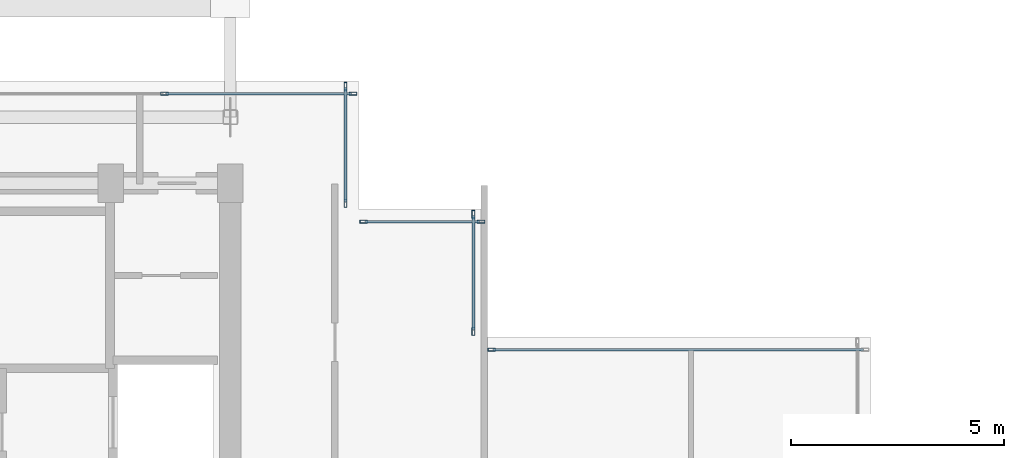
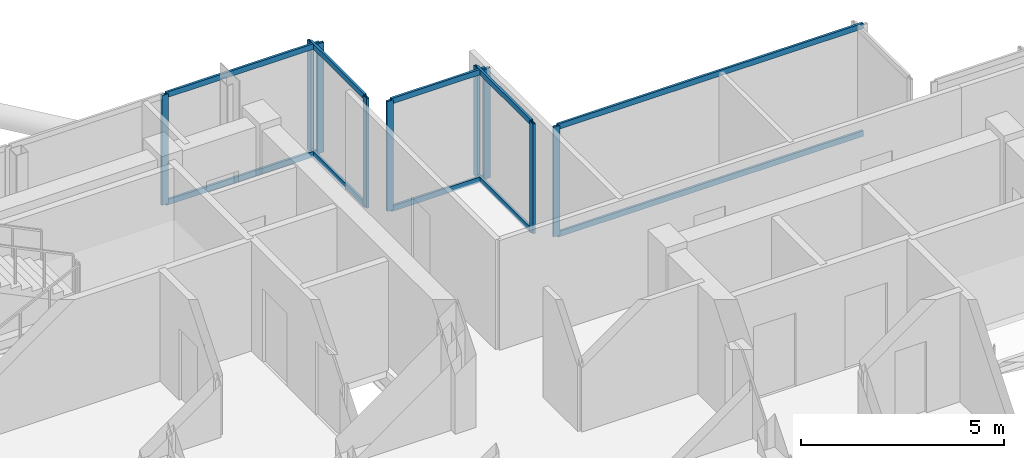
# One storey, part 10 of 18: 19 members, 5 elements without a shape of their own.
"""IFC4 building model written with IfcOpenShell, lengths in metres."""

from ifc_helpers import new_model, si_unit, direction, frame, origin, origin_2d, place, context, subcontext, project, spatial, hollow_rectangle, extrude, material, layer, layer_set, material_profile, profile_set, type_object, element, aggregate, save


model = new_model("IFC4")

# Units and contexts
model_context = context("Model", 3, precision=1e-05, world=origin(), true_north=direction((0.0, 1.0)))
body_context = subcontext(model_context, "Body", "Model", "MODEL_VIEW")
ifc_project = project(units=[si_unit("LENGTHUNIT", "METRE"), si_unit("AREAUNIT", "SQUARE_METRE"), si_unit("VOLUMEUNIT", "CUBIC_METRE"), si_unit("PLANEANGLEUNIT", "RADIAN"), si_unit("MASSUNIT", "GRAM", prefix="KILO"), si_unit("THERMODYNAMICTEMPERATUREUNIT", "KELVIN"), si_unit("POWERUNIT", "WATT")], contexts=[model_context])

# Site, building, storey
site_placement = place(None, origin())
site = spatial("IfcSite", under=ifc_project, at=site_placement, CompositionType="ELEMENT")
building_placement = place(site_placement, origin())
building = spatial("IfcBuilding", under=site, at=building_placement, Name="Svarakhadi Broadcast Tower", CompositionType="ELEMENT")
storey_placement = place(building_placement, frame((0.0, 0.0, 264.199951171875)))
storey = spatial("IfcBuildingStorey", under=building, at=storey_placement, Name="L66", CompositionType="ELEMENT", Elevation=264.199951171875)

# Curtain wall, members
ifc_material = material(Name="Anodised Bronze Aluminium AA 6063-T6", Category="aluminium")
ifc_layer = layer(ifc_material, 0.179931640625)
ifc_layer_set = layer_set([ifc_layer], Name="Anodised Bronze Aluminium AA 6063-T6")
curtain_wall_type = type_object("IfcCurtainWallType", Name="CW_Sys_05", PredefinedType="NOTDEFINED", material=ifc_layer_set)
curtain_wall_1_placement = place(storey_placement, origin())
curtain_wall_1 = element("IfcCurtainWall", 1, at=curtain_wall_1_placement, inside=storey, type_object=curtain_wall_type, Name="L66 Unitised Facade Curtain Wall 06", PredefinedType="NOTDEFINED")
ifc_material_profile_1 = material_profile(ifc_material, hollow_rectangle(XDim=0.070068359375, YDim=0.179931640625, WallThickness=0.005615234375, at=origin_2d()), Name="ALU MULLION 180x70x6")
ifc_profile_set_1 = profile_set([ifc_material_profile_1], Name="Anodised Bronze Aluminium AA 6063-T6")
member_type_1 = type_object("IfcMemberType", Name="CW_Sys_05_Mul", PredefinedType="MULLION", material=ifc_profile_set_1)
member_1_placement = place(storey_placement, frame((16.455078125, 29.699951171875, 0.0), z_axis=(0.0, 0.0, 1.0), x_axis=(0.0, 1.0, 0.0)))
member_1 = element("IfcMember", 2, at=member_1_placement, type_object=member_type_1, Name="CW-05 mullion 4", PredefinedType="MULLION", context=body_context, shape_type="SweptSolid", body=[
    extrude(hollow_rectangle(XDim=0.070068359375, YDim=0.179931640625, WallThickness=0.005615234375, at=origin_2d()), origin(), (0.0, 0.0, 1.0), 3.300048828125),
])
member_2_placement = place(storey_placement, frame((20.875, 29.699951171875, 0.0), z_axis=(0.0, 0.0, 1.0), x_axis=(0.0, 1.0, 0.0)))
member_2 = element("IfcMember", 3, at=member_2_placement, type_object=member_type_1, Name="CW-05 mullion 5", PredefinedType="MULLION", context=body_context, shape_type="SweptSolid", body=[
    extrude(hollow_rectangle(XDim=0.070068359375, YDim=0.179931640625, WallThickness=0.005615234375, at=origin_2d()), origin(), (0.0, 0.0, 1.0), 3.300048828125),
])

curtain_wall_2_placement = place(storey_placement, origin())
curtain_wall_2 = element("IfcCurtainWall", 4, at=curtain_wall_2_placement, inside=storey, type_object=curtain_wall_type, Name="L66 Unitised Facade Curtain Wall 07", PredefinedType="NOTDEFINED")
member_3_placement = place(storey_placement, frame((20.699951171875, 29.875, 0.0), z_axis=(0.0, 0.0, 1.0), x_axis=(1.0, 0.0, 0.0)))
member_3 = element("IfcMember", 5, at=member_3_placement, type_object=member_type_1, Name="CW-05 mullion 1", PredefinedType="MULLION", context=body_context, shape_type="SweptSolid", body=[
    extrude(hollow_rectangle(XDim=0.070068359375, YDim=0.179931640625, WallThickness=0.005615234375, at=origin_2d()), origin(), (0.0, 0.0, 1.0), 3.300048828125),
])
member_4_placement = place(storey_placement, frame((20.699951171875, 27.125, 0.0), z_axis=(0.0, 0.0, 1.0), x_axis=(1.0, 0.0, 0.0)))
member_4 = element("IfcMember", 6, at=member_4_placement, type_object=member_type_1, Name="CW-05 mullion 2", PredefinedType="MULLION", context=body_context, shape_type="SweptSolid", body=[
    extrude(hollow_rectangle(XDim=0.070068359375, YDim=0.179931640625, WallThickness=0.005615234375, at=origin_2d()), origin(), (0.0, 0.0, 1.0), 3.300048828125),
])

curtain_wall_3_placement = place(storey_placement, origin())
curtain_wall_3 = element("IfcCurtainWall", 7, at=curtain_wall_3_placement, inside=storey, type_object=curtain_wall_type, Name="L66 Unitised Facade Curtain Wall 08", PredefinedType="NOTDEFINED")
member_5_placement = place(storey_placement, frame((21.125, 26.699951171875, 0.0), z_axis=(0.0, 0.0, 1.0), x_axis=(0.0, 1.0, 0.0)))
member_5 = element("IfcMember", 8, at=member_5_placement, type_object=member_type_1, Name="CW-05 mullion 1", PredefinedType="MULLION", context=body_context, shape_type="SweptSolid", body=[
    extrude(hollow_rectangle(XDim=0.070068359375, YDim=0.179931640625, WallThickness=0.005615234375, at=origin_2d()), origin(), (0.0, 0.0, 1.0), 3.300048828125),
])
member_6_placement = place(storey_placement, frame((23.875, 26.699951171875, 0.0), z_axis=(0.0, 0.0, 1.0), x_axis=(0.0, 1.0, 0.0)))
member_6 = element("IfcMember", 9, at=member_6_placement, type_object=member_type_1, Name="CW-05 mullion 2", PredefinedType="MULLION", context=body_context, shape_type="SweptSolid", body=[
    extrude(hollow_rectangle(XDim=0.070068359375, YDim=0.179931640625, WallThickness=0.005615234375, at=origin_2d()), origin(), (0.0, 0.0, 1.0), 3.300048828125),
])

curtain_wall_4_placement = place(storey_placement, origin())
curtain_wall_4 = element("IfcCurtainWall", 10, at=curtain_wall_4_placement, inside=storey, type_object=curtain_wall_type, Name="L66 Unitised Facade Curtain Wall 09", PredefinedType="NOTDEFINED")
member_7_placement = place(storey_placement, frame((23.699951171875, 26.875, 0.0), z_axis=(0.0, 0.0, 1.0), x_axis=(1.0, 0.0, 0.0)))
member_7 = element("IfcMember", 11, at=member_7_placement, type_object=member_type_1, Name="CW-05 mullion 1", PredefinedType="MULLION", context=body_context, shape_type="SweptSolid", body=[
    extrude(hollow_rectangle(XDim=0.070068359375, YDim=0.179931640625, WallThickness=0.005615234375, at=origin_2d()), origin(), (0.0, 0.0, 1.0), 3.300048828125),
])
member_8_placement = place(storey_placement, frame((23.699951171875, 24.125, 0.0), z_axis=(0.0, 0.0, 1.0), x_axis=(1.0, 0.0, 0.0)))
member_8 = element("IfcMember", 12, at=member_8_placement, type_object=member_type_1, Name="CW-05 mullion 2", PredefinedType="MULLION", context=body_context, shape_type="SweptSolid", body=[
    extrude(hollow_rectangle(XDim=0.070068359375, YDim=0.179931640625, WallThickness=0.005615234375, at=origin_2d()), origin(), (0.0, 0.0, 1.0), 3.300048828125),
])

# Curtain wall, member
curtain_wall_5_placement = place(storey_placement, origin())
curtain_wall_5 = element("IfcCurtainWall", 13, at=curtain_wall_5_placement, inside=storey, type_object=curtain_wall_type, Name="L66 Unitised Facade Curtain Wall 10", PredefinedType="NOTDEFINED")
member_9_placement = place(storey_placement, frame((24.125, 23.699951171875, 0.0), z_axis=(0.0, 0.0, 1.0), x_axis=(0.0, 1.0, 0.0)))
member_9 = element("IfcMember", 14, at=member_9_placement, type_object=member_type_1, Name="CW-05 mullion 1", PredefinedType="MULLION", context=body_context, shape_type="SweptSolid", body=[
    extrude(hollow_rectangle(XDim=0.070068359375, YDim=0.179931640625, WallThickness=0.005615234375, at=origin_2d()), origin(), (0.0, 0.0, 1.0), 3.300048828125),
])

# Member
ifc_material_profile_2 = material_profile(ifc_material, hollow_rectangle(XDim=0.06494140625, YDim=0.1650390625, WallThickness=0.0048828125, at=origin_2d()), Name="ALU TRANSOM 165x65x5")
ifc_profile_set_2 = profile_set([ifc_material_profile_2], Name="Anodised Bronze Aluminium AA 6063-T6")
member_type_2 = type_object("IfcMemberType", Name="CW_Sys_05_Trn", PredefinedType="USERDEFINED", material=ifc_profile_set_2)
member_10_placement = place(storey_placement, frame((16.489990234375, 29.699951171875, 0.032470703125), z_axis=(1.0, 0.0, 0.0), x_axis=(0.0, 1.0, 0.0)))
member_10 = element("IfcMember", 15, at=member_10_placement, type_object=member_type_2, Name="CW-05 transom 4.1", ObjectType="TRANSOM", PredefinedType="USERDEFINED", context=body_context, shape_type="SweptSolid", body=[
    extrude(hollow_rectangle(XDim=0.06494140625, YDim=0.1650390625, WallThickness=0.0048828125, at=origin_2d()), origin(), (0.0, 0.0, 1.0), 4.35009765625),
])

member_11_placement = place(storey_placement, frame((16.489990234375, 29.699951171875, 3.267578125), z_axis=(1.0, 0.0, 0.0), x_axis=(0.0, 1.0, 0.0)))
member_11 = element("IfcMember", 16, at=member_11_placement, type_object=member_type_2, Name="CW-05 transom 4.2", ObjectType="TRANSOM", PredefinedType="USERDEFINED", context=body_context, shape_type="SweptSolid", body=[
    extrude(hollow_rectangle(XDim=0.06494140625, YDim=0.1650390625, WallThickness=0.0048828125, at=origin_2d()), origin(), (0.0, 0.0, 1.0), 4.35009765625),
])

aggregate(curtain_wall_1, [member_1, member_2, member_10, member_11])

member_12_placement = place(storey_placement, frame((20.699951171875, 29.840087890625, 0.032470703125), z_axis=(0.0, -1.0, 0.0), x_axis=(1.0, 0.0, 0.0)))
member_12 = element("IfcMember", 17, at=member_12_placement, type_object=member_type_2, Name="CW-05 transom 1.1", ObjectType="TRANSOM", PredefinedType="USERDEFINED", context=body_context, shape_type="SweptSolid", body=[
    extrude(hollow_rectangle(XDim=0.06494140625, YDim=0.1650390625, WallThickness=0.0048828125, at=origin_2d()), origin(), (0.0, 0.0, 1.0), 2.68017578125),
])

member_13_placement = place(storey_placement, frame((20.699951171875, 29.840087890625, 3.267578125), z_axis=(0.0, -1.0, 0.0), x_axis=(1.0, 0.0, 0.0)))
member_13 = element("IfcMember", 18, at=member_13_placement, type_object=member_type_2, Name="CW-05 transom 1.2", ObjectType="TRANSOM", PredefinedType="USERDEFINED", context=body_context, shape_type="SweptSolid", body=[
    extrude(hollow_rectangle(XDim=0.06494140625, YDim=0.1650390625, WallThickness=0.0048828125, at=origin_2d()), origin(), (0.0, 0.0, 1.0), 2.68017578125),
])

aggregate(curtain_wall_2, [member_3, member_4, member_12, member_13])

member_14_placement = place(storey_placement, frame((21.159912109375, 26.699951171875, 0.032470703125), z_axis=(1.0, 0.0, 0.0), x_axis=(0.0, 1.0, 0.0)))
member_14 = element("IfcMember", 19, at=member_14_placement, type_object=member_type_2, Name="CW-05 transom 1.1", ObjectType="TRANSOM", PredefinedType="USERDEFINED", context=body_context, shape_type="SweptSolid", body=[
    extrude(hollow_rectangle(XDim=0.06494140625, YDim=0.1650390625, WallThickness=0.0048828125, at=origin_2d()), origin(), (0.0, 0.0, 1.0), 2.68017578125),
])

member_15_placement = place(storey_placement, frame((21.159912109375, 26.699951171875, 3.267578125), z_axis=(1.0, 0.0, 0.0), x_axis=(0.0, 1.0, 0.0)))
member_15 = element("IfcMember", 20, at=member_15_placement, type_object=member_type_2, Name="CW-05 transom 1.2", ObjectType="TRANSOM", PredefinedType="USERDEFINED", context=body_context, shape_type="SweptSolid", body=[
    extrude(hollow_rectangle(XDim=0.06494140625, YDim=0.1650390625, WallThickness=0.0048828125, at=origin_2d()), origin(), (0.0, 0.0, 1.0), 2.68017578125),
])

aggregate(curtain_wall_3, [member_5, member_6, member_14, member_15])

member_16_placement = place(storey_placement, frame((23.699951171875, 26.840087890625, 0.032470703125), z_axis=(0.0, -1.0, 0.0), x_axis=(1.0, 0.0, 0.0)))
member_16 = element("IfcMember", 21, at=member_16_placement, type_object=member_type_2, Name="CW-05 transom 1.1", ObjectType="TRANSOM", PredefinedType="USERDEFINED", context=body_context, shape_type="SweptSolid", body=[
    extrude(hollow_rectangle(XDim=0.06494140625, YDim=0.1650390625, WallThickness=0.0048828125, at=origin_2d()), origin(), (0.0, 0.0, 1.0), 2.68017578125),
])

member_17_placement = place(storey_placement, frame((23.699951171875, 26.840087890625, 3.267578125), z_axis=(0.0, -1.0, 0.0), x_axis=(1.0, 0.0, 0.0)))
member_17 = element("IfcMember", 22, at=member_17_placement, type_object=member_type_2, Name="CW-05 transom 1.2", ObjectType="TRANSOM", PredefinedType="USERDEFINED", context=body_context, shape_type="SweptSolid", body=[
    extrude(hollow_rectangle(XDim=0.06494140625, YDim=0.1650390625, WallThickness=0.0048828125, at=origin_2d()), origin(), (0.0, 0.0, 1.0), 2.68017578125),
])

aggregate(curtain_wall_4, [member_7, member_8, member_16, member_17])

member_18_placement = place(storey_placement, frame((24.159912109375, 23.699951171875, 0.032470703125), z_axis=(1.0, 0.0, 0.0), x_axis=(0.0, 1.0, 0.0)))
member_18 = element("IfcMember", 23, at=member_18_placement, type_object=member_type_2, Name="CW-05 transom 1.1", ObjectType="TRANSOM", PredefinedType="USERDEFINED", context=body_context, shape_type="SweptSolid", body=[
    extrude(hollow_rectangle(XDim=0.06494140625, YDim=0.1650390625, WallThickness=0.0048828125, at=origin_2d()), origin(), (0.0, 0.0, 1.0), 8.68017578125),
])

member_19_placement = place(storey_placement, frame((24.159912109375, 23.699951171875, 3.267578125), z_axis=(1.0, 0.0, 0.0), x_axis=(0.0, 1.0, 0.0)))
member_19 = element("IfcMember", 24, at=member_19_placement, type_object=member_type_2, Name="CW-05 transom 1.2", ObjectType="TRANSOM", PredefinedType="USERDEFINED", context=body_context, shape_type="SweptSolid", body=[
    extrude(hollow_rectangle(XDim=0.06494140625, YDim=0.1650390625, WallThickness=0.0048828125, at=origin_2d()), origin(), (0.0, 0.0, 1.0), 8.68017578125),
])

aggregate(curtain_wall_5, [member_9, member_18, member_19])

save(model, "model.ifc")
